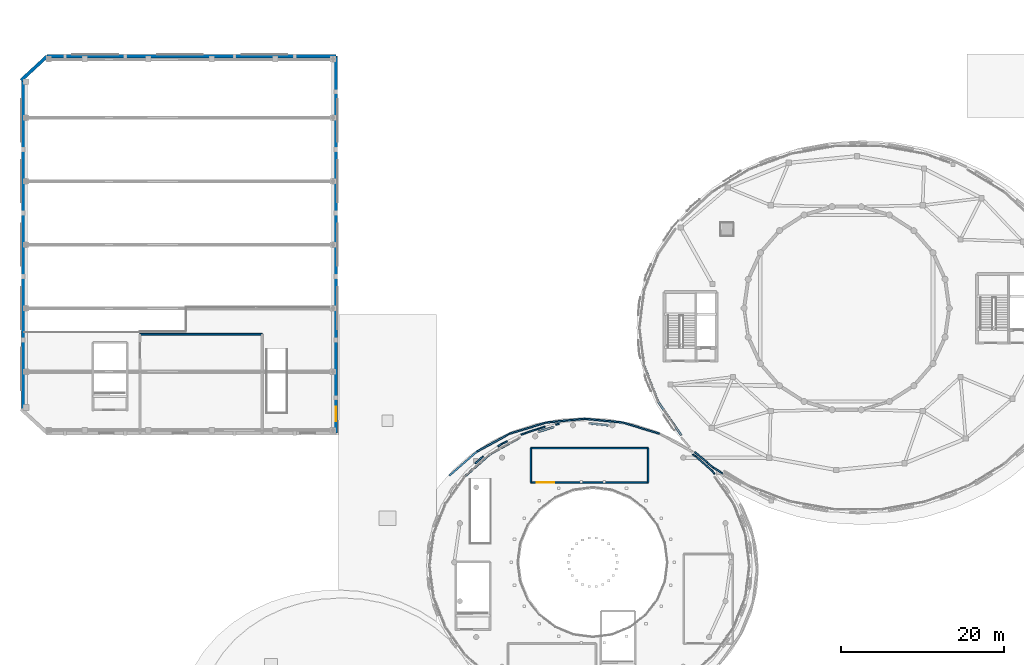
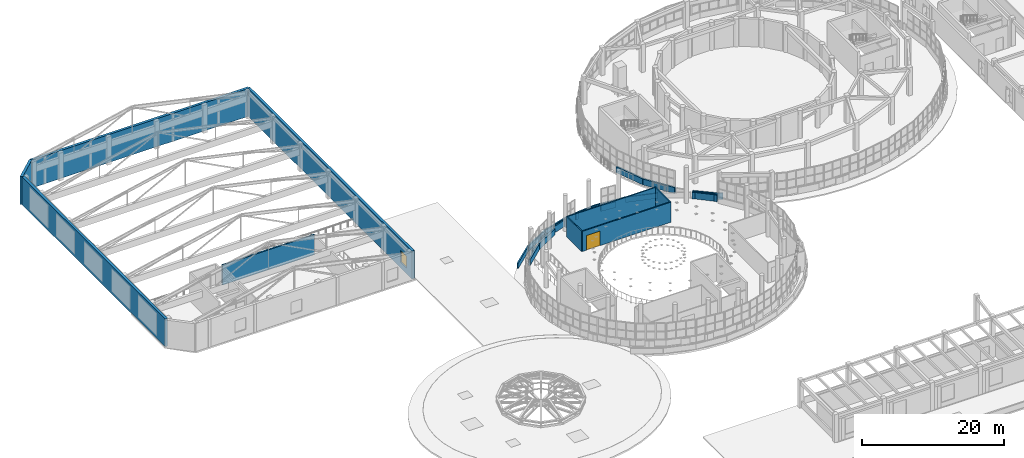
# One storey, part 91 of 105: 31 walls, 1 door, 1 window, 2 openings.
"""IFC4 building model written with IfcOpenShell, lengths in metres."""

import ifcopenshell
import ifcopenshell.guid

model = None  # the IFC model being written
_history = None  # IfcOwnerHistory: only IFC2X3 demands one
_inside = {}  # id of a spatial element -> (the spatial element, [elements in it])
_under = {}  # id of a project, library or spatial element -> (it, [spatial elements below it])
_declared = {}  # id of a project -> (the project, [libraries it declares])
_typed = {}  # id of a type object -> (the type object, [elements of that type])
_made_of = {}  # id of a material, layer set ... -> (it, [elements and type objects made of it])


def new_model(schema):
    """Start an empty IFC model of exactly this schema.

    Asked for "IFC4X3", IfcOpenShell would pick the latest addendum, in which some entities
    have other attributes; the version numbers below select the first issue.
    IFC2X3 requires an IfcOwnerHistory on every rooted entity: one is made here for all.
    """
    global model, _history
    if schema == "IFC4X3":
        model = ifcopenshell.file(schema_version=(4, 3, 0, 0))
    else:
        model = ifcopenshell.file(schema=schema)
    _inside.clear()
    _under.clear()
    _declared.clear()
    _typed.clear()
    _made_of.clear()
    _history = None
    if model.schema == "IFC2X3":
        org = make("IfcOrganization", Name="unknown")
        user = make(
            "IfcPersonAndOrganization",
            ThePerson=make("IfcPerson", FamilyName="unknown"),
            TheOrganization=org,
        )
        app = make(
            "IfcApplication",
            ApplicationDeveloper=org,
            Version="unknown",
            ApplicationFullName="unknown",
            ApplicationIdentifier="unknown",
        )
        _history = make(
            "IfcOwnerHistory",
            OwningUser=user,
            OwningApplication=app,
            ChangeAction="ADDED",
            CreationDate=0,
        )
    return model


def make(cls, **values):
    """One entity of the class cls with the attributes given. An attribute that is None is left unset."""
    return model.create_entity(
        cls, **{name: value for name, value in values.items() if value is not None}
    )


def rooted(cls, **values):
    """An entity with a GlobalId (a new one), such as an element, a storey or a relation."""
    return make(cls, GlobalId=ifcopenshell.guid.new(), OwnerHistory=_history, **values)


def si_unit(unit_type, name, prefix=None):
    """IfcSIUnit, for example si_unit("LENGTHUNIT", "METRE", prefix="MILLI")."""
    return make("IfcSIUnit", UnitType=unit_type, Prefix=prefix, Name=name)


def assignment(units):
    """IfcUnitAssignment: the units of a project."""
    return None if units is None else make("IfcUnitAssignment", Units=units)


def point(xyz):
    """IfcCartesianPoint."""
    return None if xyz is None else make("IfcCartesianPoint", Coordinates=xyz)


def direction(xyz):
    """IfcDirection."""
    return None if xyz is None else make("IfcDirection", DirectionRatios=xyz)


def frame(location, z_axis=None, x_axis=None):
    """IfcAxis2Placement3D, a coordinate frame: its origin and axes. An axis left out is left unset."""
    return make(
        "IfcAxis2Placement3D",
        Location=point(location),
        Axis=direction(z_axis),
        RefDirection=direction(x_axis),
    )


def frame_2d(location, x_axis=None):
    """IfcAxis2Placement2D, a coordinate frame in the plane: its origin and x axis."""
    return make(
        "IfcAxis2Placement2D", Location=point(location), RefDirection=direction(x_axis)
    )


def origin():
    """The frame at (0, 0, 0) with its axes left unset."""
    return frame((0.0, 0.0, 0.0))


def place(relative_to, where):
    """IfcLocalPlacement: puts the frame where relative to a parent placement (None: the world)."""
    return make(
        "IfcLocalPlacement", PlacementRelTo=relative_to, RelativePlacement=where
    )


def context(
    kind, dimensions, precision=None, world=None, true_north=None, identifier=None
):
    """IfcGeometricRepresentationContext, for example the 3D "Model" context."""
    return make(
        "IfcGeometricRepresentationContext",
        ContextIdentifier=identifier,
        ContextType=kind,
        CoordinateSpaceDimension=dimensions,
        Precision=precision,
        WorldCoordinateSystem=world,
        TrueNorth=true_north,
    )


def subcontext(parent, identifier, kind, view, scale=None):
    """IfcGeometricRepresentationSubContext, for example "Body" below "Model"."""
    return make(
        "IfcGeometricRepresentationSubContext",
        ContextIdentifier=identifier,
        ContextType=kind,
        ParentContext=parent,
        TargetScale=scale,
        TargetView=view,
    )


def project(units=None, contexts=None):
    """IfcProject with its units and contexts."""
    return rooted(
        "IfcProject",
        Name="project",
        RepresentationContexts=contexts,
        UnitsInContext=assignment(units),
    )


def spatial(cls, under=None, at=None, **own):
    """A site, building, storey or space (cls), placed at a placement, below another one or the project."""
    s = rooted(cls, ObjectPlacement=at, **own)
    if under is not None:
        _under.setdefault(under.id(), (under, []))[1].append(s)
    return s


def profile(cls, at=None, kind="AREA", **sizes):
    """A parametric profile (cls). Its sizes go by their IFC names, for example OverallWidth=200.0."""
    return make(cls, ProfileType=kind, Position=at, **sizes)


def rectangle(**sizes):
    """IfcRectangleProfileDef."""
    return profile("IfcRectangleProfileDef", **sizes)


def extrude(swept, where, along, depth):
    """IfcExtrudedAreaSolid: the profile swept, set in the frame where, extruded along a direction by depth."""
    return make(
        "IfcExtrudedAreaSolid",
        SweptArea=swept,
        Position=where,
        ExtrudedDirection=direction(along),
        Depth=depth,
    )


def shape(context_of_items, identifier, shape_type, items):
    """IfcShapeRepresentation: the items that make up one representation, for example the "Body"."""
    return make(
        "IfcShapeRepresentation",
        ContextOfItems=context_of_items,
        RepresentationIdentifier=identifier,
        RepresentationType=shape_type,
        Items=items,
    )


def material(Name=None, Category=None):
    """IfcMaterial."""
    return make("IfcMaterial", Name=Name, Category=Category)


def layer(
    of_material, thickness, ventilated=None, Name=None, Category=None, Priority=None
):
    """IfcMaterialLayer: one layer of a wall or slab, of a material (None: an air gap)."""
    return make(
        "IfcMaterialLayer",
        Material=of_material,
        LayerThickness=thickness,
        IsVentilated=ventilated,
        Name=Name,
        Category=Category,
        Priority=Priority,
    )


def layer_set(layers, Name=None):
    """IfcMaterialLayerSet."""
    return make("IfcMaterialLayerSet", MaterialLayers=layers, LayerSetName=Name)


def made_of(thing, what):
    """Note that an element or type object is made of a material, layer set ...; save() writes the relation."""
    if what is not None:
        _made_of.setdefault(what.id(), (what, []))[1].append(thing)
    return thing


def type_object(cls, material=None, **own):
    """A type object (cls), such as IfcWallType, which elements share."""
    return made_of(rooted(cls, **own), material)


def element(
    cls,
    number,
    at=None,
    inside=None,
    cuts=None,
    type_object=None,
    material=None,
    context=None,
    identifier="Body",
    shape_type=None,
    held_by="IfcProductDefinitionShape",
    body=None,
    shapes=None,
    **own,
):
    """One element of the class cls, such as IfcWall. Its Tag is "e" and its number.

    at: its placement. inside: the storey or other place that contains it. cuts: it is an
    opening in that element (IfcRelVoidsElement). A single representation is given by context,
    identifier, shape_type and body (its items); several are given by shapes. held_by: the class
    of the entity that holds the representations. save() writes the other relations.
    """
    e = rooted(cls, Tag="e%d" % number, ObjectPlacement=at, **own)
    if body is not None:
        shapes = [shape(context, identifier, shape_type, body)]
    if shapes is not None:
        e.Representation = make(held_by, Representations=shapes)
    if inside is not None:
        _inside.setdefault(inside.id(), (inside, []))[1].append(e)
    if cuts is not None:
        rooted(
            "IfcRelVoidsElement", RelatingBuildingElement=cuts, RelatedOpeningElement=e
        )
    if type_object is not None:
        _typed.setdefault(type_object.id(), (type_object, []))[1].append(e)
    return made_of(e, material)


def fill(opening, filler):
    """IfcRelFillsElement: the door or window that sits in an opening."""
    return rooted(
        "IfcRelFillsElement",
        RelatingOpeningElement=opening,
        RelatedBuildingElement=filler,
    )


def aggregate(whole, parts):
    """IfcRelAggregates: a whole, such as a stair, and the parts it consists of."""
    return rooted("IfcRelAggregates", RelatingObject=whole, RelatedObjects=parts)


def save(model, path):
    """Write the relations noted so far, then the file.

    IfcRelAggregates (storeys below a building ...), IfcRelContainedInSpatialStructure (elements
    in a storey), IfcRelDefinesByType, IfcRelAssociatesMaterial and IfcRelDeclares: one each for
    every whole, place, type object, material and project.
    """
    for whole, parts in _under.values():
        aggregate(whole, parts)
    for where, things in _inside.values():
        rooted(
            "IfcRelContainedInSpatialStructure",
            RelatedElements=things,
            RelatingStructure=where,
        )
    for kind, things in _typed.values():
        rooted("IfcRelDefinesByType", RelatedObjects=things, RelatingType=kind)
    for what, things in _made_of.values():
        rooted("IfcRelAssociatesMaterial", RelatedObjects=things, RelatingMaterial=what)
    for by, libraries in _declared.values():
        rooted("IfcRelDeclares", RelatingContext=by, RelatedDefinitions=libraries)
    model.write(path)


model = new_model("IFC4")

# Units and contexts
model_context = context("Model", 3, precision=1e-05, world=origin(), true_north=direction((0.0, 1.0)))
body_context = subcontext(model_context, "Body", "Model", "MODEL_VIEW")
ifc_project = project(units=[si_unit("LENGTHUNIT", "METRE"), si_unit("AREAUNIT", "SQUARE_METRE"), si_unit("VOLUMEUNIT", "CUBIC_METRE"), si_unit("PLANEANGLEUNIT", "RADIAN"), si_unit("MASSUNIT", "GRAM", prefix="KILO")], contexts=[model_context])

# Site, building, storey
site_placement = place(None, origin())
site = spatial("IfcSite", under=ifc_project, at=site_placement, CompositionType="ELEMENT")
building_placement = place(site_placement, origin())
building = spatial("IfcBuilding", under=site, at=building_placement, Name="Pelvatis Terrace Science Centre", CompositionType="ELEMENT")
storey_placement = place(building_placement, frame((0.0, 0.0, 10.199951171875)))
storey = spatial("IfcBuildingStorey", under=building, at=storey_placement, Name="L02", CompositionType="ELEMENT", Elevation=10.199951171875)

# Walls
ifc_material_1 = material(Name="Precast concrete C40/50 double acoustic shell", Category="concrete")
ifc_layer_1 = layer(ifc_material_1, 0.409912109375)
ifc_layer_set_1 = layer_set([ifc_layer_1], Name="Precast concrete C40/50 double acoustic shell")
wall_type_1 = type_object("IfcWallType", Name="WL-EXT-ACOU-410", PredefinedType="SOLIDWALL", material=ifc_layer_set_1)
wall_1_placement = place(storey_placement, frame((8.050048828125, 73.39990234375, 0.0), z_axis=(0.0, 0.0, 1.0), x_axis=(0.0, 1.0, 0.0)))
element("IfcWall", 1, at=wall_1_placement, inside=storey, type_object=wall_type_1, Name="Theatre classical stone acoustic wall W (L02)", PredefinedType="SOLIDWALL", context=body_context, shape_type="SweptSolid", body=[
    extrude(rectangle(XDim=40.400146484375, YDim=0.409912109375, at=frame_2d((20.2001953125, 0.0))), origin(), (0.0, 0.0, 1.0), 4.800048828125),
])
wall_2_placement = place(storey_placement, frame((11.0, 116.75, 0.0), z_axis=(0.0, 0.0, 1.0), x_axis=(1.0, 0.0, 0.0)))
element("IfcWall", 2, at=wall_2_placement, inside=storey, type_object=wall_type_1, Name="Theatre classical stone acoustic wall N (L02)", PredefinedType="SOLIDWALL", context=body_context, shape_type="SweptSolid", body=[
    extrude(rectangle(XDim=35.449951171875, YDim=0.409912109375, at=frame_2d((17.72509765625, 0.0))), origin(), (0.0, 0.0, 1.0), 4.800048828125),
])

# Wall, opening, window
wall_3_placement = place(storey_placement, frame((46.449951171875, 70.449951171875, 0.0), z_axis=(0.0, 0.0, 1.0), x_axis=(0.0, 1.0, 0.0)))
wall_3 = element("IfcWall", 3, at=wall_3_placement, inside=storey, type_object=wall_type_1, Name="Theatre classical stone acoustic wall E (L02)", PredefinedType="SOLIDWALL", context=body_context, shape_type="SweptSolid", body=[
    extrude(rectangle(XDim=46.300048828125, YDim=0.409912109375, at=frame_2d((23.14990234375, 0.0))), origin(), (0.0, 0.0, 1.0), 4.800048828125),
])
opening_1_placement = place(wall_3_placement, frame((1.449951171875, 0.0, 0.949951171875)))
opening_1 = element("IfcOpeningElement", 4, at=opening_1_placement, cuts=wall_3, Name="Opening W-010", PredefinedType="OPENING", context=body_context, shape_type="SweptSolid", body=[
    extrude(rectangle(XDim=1.800048828125, YDim=2.10009765625, at=frame_2d((0.89990234375, 1.050048828125))), frame((0.0, 0.21484375, 0.0), z_axis=(0.0, -1.0, 0.0), x_axis=(1.0, 0.0, 0.0)), (0.0, 0.0, 1.0), 0.429931640625),
])
ifc_material_2 = material(Name="Bronze-anodised aluminium and laminated low-e glass", Category="aluminium")
window_type = type_object("IfcWindowType", Name="WIN-LAB-1800x2100", PartitioningType="SINGLE_PANEL", PredefinedType="WINDOW", material=ifc_material_2)
window_placement = place(opening_1_placement, origin())
window = element("IfcWindow", 5, at=window_placement, inside=storey, type_object=window_type, Name="Theatre east foyer window W-010", OverallHeight=2.10009765625, OverallWidth=1.800048828125, PartitioningType="SINGLE_PANEL", PredefinedType="WINDOW", context=body_context, shape_type="SweptSolid", body=[
    extrude(rectangle(XDim=1.800048828125, YDim=2.10009765625, at=frame_2d((0.89990234375, 1.050048828125))), frame((0.0, 0.030029296875, 0.0), z_axis=(0.0, -1.0, 0.0), x_axis=(1.0, 0.0, 0.0)), (0.0, 0.0, 1.0), 0.06005859375),
])
fill(opening_1, window)

# Walls
wall_4_placement = place(storey_placement, frame((7.800048828125, 113.800048828125, 0.0), z_axis=(0.0, 0.0, 1.0), x_axis=(0.735244168043, 0.677802340922, 0.0)))
element("IfcWall", 6, at=wall_4_placement, inside=storey, type_object=wall_type_1, Name="Theatre classical stone acoustic wall NW (L02)", PredefinedType="SOLIDWALL", context=body_context, shape_type="SweptSolid", body=[
    extrude(rectangle(XDim=4.352294921875, YDim=0.409912109375, at=frame_2d((2.17626953125, 0.0))), origin(), (0.0, 0.0, 1.0), 4.800048828125),
])
ifc_material_3 = material(Name="White architectural precast concrete C40/50 spandrel", Category="concrete")
ifc_layer_2 = layer(ifc_material_3, 0.260009765625)
ifc_layer_set_2 = layer_set([ifc_layer_2], Name="White architectural precast concrete C40/50 spandrel")
wall_type_2 = type_object("IfcWallType", Name="WL-EXT-SPND-260", PredefinedType="SOLIDWALL", material=ifc_layer_set_2)
wall_5_placement = place(storey_placement, frame((84.336669921875, 78.732421875, 0.0), z_axis=(0.0, 0.0, 1.0), x_axis=(0.362222370207, -0.932091709287, 0.0)))
element("IfcWall", 7, at=wall_5_placement, inside=storey, type_object=wall_type_2, Name="V1 white spiral spandrel band 17 (L02)", PredefinedType="SOLIDWALL", context=body_context, shape_type="SweptSolid", body=[
    extrude(rectangle(XDim=4.788818359375, YDim=0.260009765625, at=frame_2d((2.39453125, 0.0))), origin(), (0.0, 0.0, 1.0), 1.02001953125),
])
wall_6_placement = place(storey_placement, frame((86.0712890625, 74.268798828125, 0.0), z_axis=(0.0, 0.0, 1.0), x_axis=(0.568199482785, -0.822890848025, 0.0)))
element("IfcWall", 8, at=wall_6_placement, inside=storey, type_object=wall_type_2, Name="V1 white spiral spandrel band 18 (L02)", PredefinedType="SOLIDWALL", context=body_context, shape_type="SweptSolid", body=[
    extrude(rectangle(XDim=4.939453125, YDim=0.260009765625, at=frame_2d((2.4697265625, 0.0))), origin(), (0.0, 0.0, 1.0), 1.02001953125),
])
ifc_material_4 = material(Name="White architectural precast concrete C40/50 spandrel", Category="concrete")
ifc_layer_3 = layer(ifc_material_4, 0.27490234375)
ifc_layer_set_3 = layer_set([ifc_layer_3], Name="White architectural precast concrete C40/50 spandrel")
wall_type_3 = type_object("IfcWallType", Name="WL-EXT-SPND-275", PredefinedType="SOLIDWALL", material=ifc_layer_set_3)
wall_7_placement = place(storey_placement, frame((79.916015625, 71.418212890625, 0.0), z_axis=(0.0, 0.0, 1.0), x_axis=(-0.995033035089, 0.09954526147, 0.0)))
element("IfcWall", 9, at=wall_7_placement, inside=storey, type_object=wall_type_3, Name="V2 white spiral spandrel band 07 (L02)", PredefinedType="SOLIDWALL", context=body_context, shape_type="SweptSolid", body=[
    extrude(rectangle(XDim=2.327392578125, YDim=0.27490234375, at=frame_2d((1.16357421875, 0.0))), origin(), (0.0, 0.0, 1.0), 1.02001953125),
])
wall_8_placement = place(storey_placement, frame((73.2275390625, 71.21240234375, 0.0), z_axis=(0.0, 0.0, 1.0), x_axis=(-0.954962987723, -0.296724943474, 0.0)))
element("IfcWall", 10, at=wall_8_placement, inside=storey, type_object=wall_type_3, Name="V2 white spiral spandrel band 09 (L02)", PredefinedType="SOLIDWALL", context=body_context, shape_type="SweptSolid", body=[
    extrude(rectangle(XDim=2.02734375, YDim=0.27490234375, at=frame_2d((1.013671875, 0.0))), origin(), (0.0, 0.0, 1.0), 1.02001953125),
])
wall_9_placement = place(storey_placement, frame((69.07421875, 69.921875, 0.0), z_axis=(0.0, 0.0, 1.0), x_axis=(-0.873265085856, -0.487245410266, 0.0)))
element("IfcWall", 11, at=wall_9_placement, inside=storey, type_object=wall_type_3, Name="V2 white spiral spandrel band 10 (L02)", PredefinedType="SOLIDWALL", context=body_context, shape_type="SweptSolid", body=[
    extrude(rectangle(XDim=4.2666015625, YDim=0.27490234375, at=frame_2d((2.13330078125, 0.0))), origin(), (0.0, 0.0, 1.0), 1.02001953125),
])
wall_10_placement = place(storey_placement, frame((65.348388671875, 67.843017578125, 0.0), z_axis=(0.0, 0.0, 1.0), x_axis=(-0.747700577654, -0.664036027769, 0.0)))
element("IfcWall", 12, at=wall_10_placement, inside=storey, type_object=wall_type_3, Name="V2 white spiral spandrel band 11 (L02)", PredefinedType="SOLIDWALL", context=body_context, shape_type="SweptSolid", body=[
    extrude(rectangle(XDim=4.1611328125, YDim=0.27490234375, at=frame_2d((2.08056640625, 0.0))), origin(), (0.0, 0.0, 1.0), 1.02001953125),
])
ifc_material_5 = material(Name="Acoustic theatre and planetarium lobby wall", Category="masonry")
ifc_layer_4 = layer(ifc_material_5, 0.235107421875)
ifc_layer_set_4 = layer_set([ifc_layer_4], Name="Acoustic theatre and planetarium lobby wall")
wall_type_4 = type_object("IfcWallType", Name="WL-INT-ACOU-235", PredefinedType="PARTITIONING", material=ifc_layer_set_4)
wall_11_placement = place(storey_placement, frame((37.39990234375, 82.60009765625, 0.0), z_axis=(0.0, 0.0, 1.0), x_axis=(-1.0, 0.0, 0.0)))
element("IfcWall", 13, at=wall_11_placement, inside=storey, type_object=wall_type_4, Name="Theatre Upper Balcony Concourse and Projection Suite partition wall N", PredefinedType="PARTITIONING", context=body_context, shape_type="SweptSolid", body=[
    extrude(rectangle(XDim=15.0, YDim=0.235107421875, at=frame_2d((7.5, 0.0))), origin(), (0.0, 0.0, 1.0), 3.449951171875),
])

# Wall, opening, door
ifc_material_6 = material(Name="Gallery display masonry liner", Category="masonry")
ifc_layer_5 = layer(ifc_material_6, 0.181884765625)
ifc_layer_set_5 = layer_set([ifc_layer_5], Name="Gallery display masonry liner")
wall_type_5 = type_object("IfcWallType", Name="WL-INT-GAL-182", PredefinedType="PARTITIONING", material=ifc_layer_set_5)
wall_12_placement = place(storey_placement, frame((70.39990234375, 64.39990234375, 0.0), z_axis=(0.0, 0.0, 1.0), x_axis=(1.0, 0.0, 0.0)))
wall_12 = element("IfcWall", 14, at=wall_12_placement, inside=storey, type_object=wall_type_5, Name="North Bowl Stratigraphy Mezzanine Gallery partition wall S", PredefinedType="PARTITIONING", context=body_context, shape_type="SweptSolid", body=[
    extrude(rectangle(XDim=14.400146484375, YDim=0.181884765625, at=frame_2d((7.2001953125, 0.0))), origin(), (0.0, 0.0, 1.0), 3.449951171875),
])
opening_2_placement = place(wall_12_placement, frame((0.7041015625, 0.0, 0.0)))
opening_2 = element("IfcOpeningElement", 15, at=opening_2_placement, cuts=wall_12, Name="Opening D-203", PredefinedType="OPENING", context=body_context, shape_type="SweptSolid", body=[
    extrude(rectangle(XDim=2.199951171875, YDim=2.5, at=frame_2d((1.10009765625, 1.25))), frame((0.0, 0.100830078125, 0.0), z_axis=(0.0, -1.0, 0.0), x_axis=(1.0, 0.0, 0.0)), (0.0, 0.0, 1.0), 0.201904296875),
])
ifc_material_7 = material(Name="Acoustic bronze-and-glass exhibition hall double door", Category="glass")
door_type = type_object("IfcDoorType", Name="DR-GAL-2200x2500", OperationType="NOTDEFINED", PredefinedType="DOOR", material=ifc_material_7)
door_placement = place(opening_2_placement, origin())
door = element("IfcDoor", 16, at=door_placement, inside=storey, type_object=door_type, Name="North Bowl Stratigraphy Mezzanine Gallery entrance door", OperationType="DOUBLE_DOOR_SINGLE_SWING", OverallHeight=2.5, OverallWidth=2.199951171875, PredefinedType="DOOR", context=body_context, shape_type="SweptSolid", body=[
    extrude(rectangle(XDim=2.199951171875, YDim=2.5, at=frame_2d((1.10009765625, 1.25))), frame((0.0, 0.02490234375, 0.0), z_axis=(0.0, -1.0, 0.0), x_axis=(1.0, 0.0, 0.0)), (0.0, 0.0, 1.0), 0.050048828125),
])
fill(opening_2, door)

# Walls
wall_13_placement = place(storey_placement, frame((84.800048828125, 64.39990234375, 0.0), z_axis=(0.0, 0.0, 1.0), x_axis=(0.0, 1.0, 0.0)))
element("IfcWall", 17, at=wall_13_placement, inside=storey, type_object=wall_type_5, Name="North Bowl Stratigraphy Mezzanine Gallery partition wall E", PredefinedType="PARTITIONING", context=body_context, shape_type="SweptSolid", body=[
    extrude(rectangle(XDim=4.2001953125, YDim=0.181884765625, at=frame_2d((2.10009765625, 0.0))), origin(), (0.0, 0.0, 1.0), 3.449951171875),
])
wall_14_placement = place(storey_placement, frame((84.800048828125, 68.60009765625, 0.0), z_axis=(0.0, 0.0, 1.0), x_axis=(-1.0, 0.0, 0.0)))
element("IfcWall", 18, at=wall_14_placement, inside=storey, type_object=wall_type_5, Name="North Bowl Stratigraphy Mezzanine Gallery partition wall N", PredefinedType="PARTITIONING", context=body_context, shape_type="SweptSolid", body=[
    extrude(rectangle(XDim=14.400146484375, YDim=0.181884765625, at=frame_2d((7.2001953125, 0.0))), origin(), (0.0, 0.0, 1.0), 3.449951171875),
])
wall_15_placement = place(storey_placement, frame((70.39990234375, 68.60009765625, 0.0), z_axis=(0.0, 0.0, 1.0), x_axis=(0.0, -1.0, 0.0)))
element("IfcWall", 19, at=wall_15_placement, inside=storey, type_object=wall_type_5, Name="North Bowl Stratigraphy Mezzanine Gallery partition wall W", PredefinedType="PARTITIONING", context=body_context, shape_type="SweptSolid", body=[
    extrude(rectangle(XDim=4.2001953125, YDim=0.181884765625, at=frame_2d((2.10009765625, 0.0))), origin(), (0.0, 0.0, 1.0), 3.449951171875),
])
ifc_material_8 = material(Name="White architectural precast concrete C40/50 spandrel parapet", Category="concrete")
ifc_layer_6 = layer(ifc_material_8, 0.18994140625)
ifc_layer_set_6 = layer_set([ifc_layer_6], Name="White architectural precast concrete C40/50 spandrel parapet")
wall_type_6 = type_object("IfcWallType", Name="WL-PAR-190", PredefinedType="PARAPET", material=ifc_layer_set_6)
wall_16_placement = place(storey_placement, frame((93.94140625, 65.515869140625, 0.0), z_axis=(0.0, 0.0, 1.0), x_axis=(-0.847041037264, 0.531527498056, 0.0)))
element("IfcWall", 20, at=wall_16_placement, inside=storey, type_object=wall_type_6, Name="Perimeter edge closure parapet PW-EDG-L02-291", PredefinedType="PARAPET", context=body_context, shape_type="SweptSolid", body=[
    extrude(rectangle(XDim=1.320068359375, YDim=0.18994140625, at=frame_2d((0.66015625, 0.0))), origin(), (0.0, 0.0, 1.0), 1.1201171875),
])
wall_17_placement = place(storey_placement, frame((92.8232421875, 66.217529296875, 0.0), z_axis=(0.0, 0.0, 1.0), x_axis=(-0.766384802011, 0.642381767523, 0.0)))
element("IfcWall", 21, at=wall_17_placement, inside=storey, type_object=wall_type_6, Name="Perimeter edge closure parapet PW-EDG-L02-292", PredefinedType="PARAPET", context=body_context, shape_type="SweptSolid", body=[
    extrude(rectangle(XDim=2.968994140625, YDim=0.18994140625, at=frame_2d((1.484375, 0.0))), origin(), (0.0, 0.0, 1.0), 1.1201171875),
])
wall_18_placement = place(storey_placement, frame((63.567138671875, 66.7392578125, 0.0), z_axis=(0.0, 0.0, 1.0), x_axis=(0.747737784764, 0.663994130423, 0.0)))
element("IfcWall", 22, at=wall_18_placement, inside=storey, type_object=wall_type_6, Name="Perimeter edge closure parapet PW-EDG-L02-304", PredefinedType="PARAPET", context=body_context, shape_type="SweptSolid", body=[
    extrude(rectangle(XDim=1.31201171875, YDim=0.18994140625, at=frame_2d((0.656005859375, 0.0))), origin(), (0.0, 0.0, 1.0), 1.1201171875),
])
wall_19_placement = place(storey_placement, frame((66.35302734375, 68.81298828125, 0.0), z_axis=(0.0, 0.0, 1.0), x_axis=(0.832319631583, 0.554295977688, 0.0)))
element("IfcWall", 23, at=wall_19_placement, inside=storey, type_object=wall_type_6, Name="Perimeter edge closure parapet PW-EDG-L02-305", PredefinedType="PARAPET", context=body_context, shape_type="SweptSolid", body=[
    extrude(rectangle(XDim=0.5576171875, YDim=0.18994140625, at=frame_2d((0.27880859375, 0.0))), origin(), (0.0, 0.0, 1.0), 1.1201171875),
])
wall_20_placement = place(storey_placement, frame((66.817138671875, 69.1220703125, 0.0), z_axis=(0.0, 0.0, 1.0), x_axis=(0.899405659658, 0.437114926965, 0.0)))
element("IfcWall", 24, at=wall_20_placement, inside=storey, type_object=wall_type_6, Name="Perimeter edge closure parapet PW-EDG-L02-306", PredefinedType="PARAPET", context=body_context, shape_type="SweptSolid", body=[
    extrude(rectangle(XDim=0.77587890625, YDim=0.18994140625, at=frame_2d((0.387939453125, 0.0))), origin(), (0.0, 0.0, 1.0), 1.1201171875),
])
wall_21_placement = place(storey_placement, frame((69.1708984375, 70.26611328125, 0.0), z_axis=(0.0, 0.0, 1.0), x_axis=(0.949378040362, 0.314135856723, 0.0)))
element("IfcWall", 25, at=wall_21_placement, inside=storey, type_object=wall_type_6, Name="Perimeter edge closure parapet PW-EDG-L02-307", PredefinedType="PARAPET", context=body_context, shape_type="SweptSolid", body=[
    extrude(rectangle(XDim=3.15234375, YDim=0.18994140625, at=frame_2d((1.576171875, 0.0))), origin(), (0.0, 0.0, 1.0), 1.1201171875),
])
wall_22_placement = place(storey_placement, frame((73.435791015625, 71.502685546875, 0.0), z_axis=(0.0, 0.0, 1.0), x_axis=(0.981808646025, 0.189873069681, 0.0)))
element("IfcWall", 26, at=wall_22_placement, inside=storey, type_object=wall_type_6, Name="Perimeter edge closure parapet PW-EDG-L02-308", PredefinedType="PARAPET", context=body_context, shape_type="SweptSolid", body=[
    extrude(rectangle(XDim=0.458984375, YDim=0.18994140625, at=frame_2d((0.2294921875, 0.0))), origin(), (0.0, 0.0, 1.0), 1.1201171875),
])
wall_23_placement = place(storey_placement, frame((90.2763671875, 67.860595703125, 0.0), z_axis=(0.0, 0.0, 1.0), x_axis=(0.832213046526, -0.554455990311, 0.0)))
element("IfcWall", 27, at=wall_23_placement, inside=storey, type_object=wall_type_6, Name="Perimeter edge closure parapet PW-EDG-L02-309", PredefinedType="PARAPET", context=body_context, shape_type="SweptSolid", body=[
    extrude(rectangle(XDim=0.46142578125, YDim=0.18994140625, at=frame_2d((0.230712890625, 0.0))), origin(), (0.0, 0.0, 1.0), 1.1201171875),
])
wall_24_placement = place(storey_placement, frame((90.660400390625, 67.604736328125, 0.0), z_axis=(0.0, 0.0, 1.0), x_axis=(0.747029008184, -0.66479144168, 0.0)))
element("IfcWall", 28, at=wall_24_placement, inside=storey, type_object=wall_type_6, Name="Perimeter edge closure parapet PW-EDG-L02-310", PredefinedType="PARAPET", context=body_context, shape_type="SweptSolid", body=[
    extrude(rectangle(XDim=2.692626953125, YDim=0.18994140625, at=frame_2d((1.34619140625, 0.0))), origin(), (0.0, 0.0, 1.0), 1.1201171875),
])
wall_25_placement = place(storey_placement, frame((92.671875, 65.814697265625, 0.0), z_axis=(0.0, 0.0, 1.0), x_axis=(0.643481584405, -0.765461593114, 0.0)))
element("IfcWall", 29, at=wall_25_placement, inside=storey, type_object=wall_type_6, Name="Perimeter edge closure parapet PW-EDG-L02-311", PredefinedType="PARAPET", context=body_context, shape_type="SweptSolid", body=[
    extrude(rectangle(XDim=0.494384765625, YDim=0.18994140625, at=frame_2d((0.2470703125, 0.0))), origin(), (0.0, 0.0, 1.0), 1.1201171875),
])
ifc_material_9 = material(Name="White architectural precast concrete C40/50 spandrel parapet", Category="concrete")
ifc_layer_7 = layer(ifc_material_9, 0.205078125)
ifc_layer_set_7 = layer_set([ifc_layer_7], Name="White architectural precast concrete C40/50 spandrel parapet")
wall_type_7 = type_object("IfcWallType", Name="WL-PAR-205", PredefinedType="PARAPET", material=ifc_layer_set_7)
wall_26_placement = place(storey_placement, frame((86.20703125, 70.385986328125, 0.0), z_axis=(0.0, 0.0, 1.0), x_axis=(-0.956400458373, 0.292058492813, 0.0)))
element("IfcWall", 30, at=wall_26_placement, inside=storey, type_object=wall_type_7, Name="White spiral ring parapet PW-CRV-L02-100", PredefinedType="PARAPET", context=body_context, shape_type="SweptSolid", body=[
    extrude(rectangle(XDim=4.689453125, YDim=0.205078125, at=frame_2d((2.3447265625, 0.0))), origin(), (0.0, 0.0, 1.0), 0.920166015625),
])
for number, where, z_axis, x_axis, name in (
    (31, (81.721923828125, 71.755615234375, 0.0), (0.0, 0.0, 1.0), (-0.99519938288, 0.097868219132, 0.0), "White spiral ring parapet PW-CRV-L02-101"),
    (32, (77.0, 72.219970703125, 0.0), (0.0, 0.0, 1.0), (-0.99519938288, -0.097868219132, 0.0), "White spiral ring parapet PW-CRV-L02-102"),
):
    element("IfcWall", number, at=place(storey_placement, frame(where, z_axis=z_axis, x_axis=x_axis)), inside=storey, type_object=wall_type_7, Name=name, PredefinedType="PARAPET", context=body_context, shape_type="SweptSolid", body=[
        extrude(rectangle(XDim=4.74462890625, YDim=0.205078125, at=frame_2d((2.372314453125, 0.0))), origin(), (0.0, 0.0, 1.0), 0.920166015625),
    ])
wall_27_placement = place(storey_placement, frame((72.278076171875, 71.755615234375, 0.0), z_axis=(0.0, 0.0, 1.0), x_axis=(-0.956400458373, -0.292058492813, 0.0)))
element("IfcWall", 33, at=wall_27_placement, inside=storey, type_object=wall_type_7, Name="White spiral ring parapet PW-CRV-L02-103", PredefinedType="PARAPET", context=body_context, shape_type="SweptSolid", body=[
    extrude(rectangle(XDim=4.689453125, YDim=0.205078125, at=frame_2d((2.3447265625, 0.0))), origin(), (0.0, 0.0, 1.0), 0.920166015625),
])
wall_28_placement = place(storey_placement, frame((67.79296875, 70.385986328125, 0.0), z_axis=(0.0, 0.0, 1.0), x_axis=(-0.876799384048, -0.480856361227, 0.0)))
element("IfcWall", 34, at=wall_28_placement, inside=storey, type_object=wall_type_7, Name="White spiral ring parapet PW-CRV-L02-104", PredefinedType="PARAPET", context=body_context, shape_type="SweptSolid", body=[
    extrude(rectangle(XDim=4.5888671875, YDim=0.205078125, at=frame_2d((2.29443359375, 0.0))), origin(), (0.0, 0.0, 1.0), 0.920166015625),
])
wall_29_placement = place(storey_placement, frame((63.76953125, 68.179443359375, 0.0), z_axis=(0.0, 0.0, 1.0), x_axis=(-0.753434026199, -0.657523511493, 0.0)))
element("IfcWall", 35, at=wall_29_placement, inside=storey, type_object=wall_type_7, Name="White spiral ring parapet PW-CRV-L02-105", PredefinedType="PARAPET", context=body_context, shape_type="SweptSolid", body=[
    extrude(rectangle(XDim=4.459716796875, YDim=0.205078125, at=frame_2d((2.22998046875, 0.0))), origin(), (0.0, 0.0, 1.0), 0.920166015625),
])

save(model, "model.ifc")
